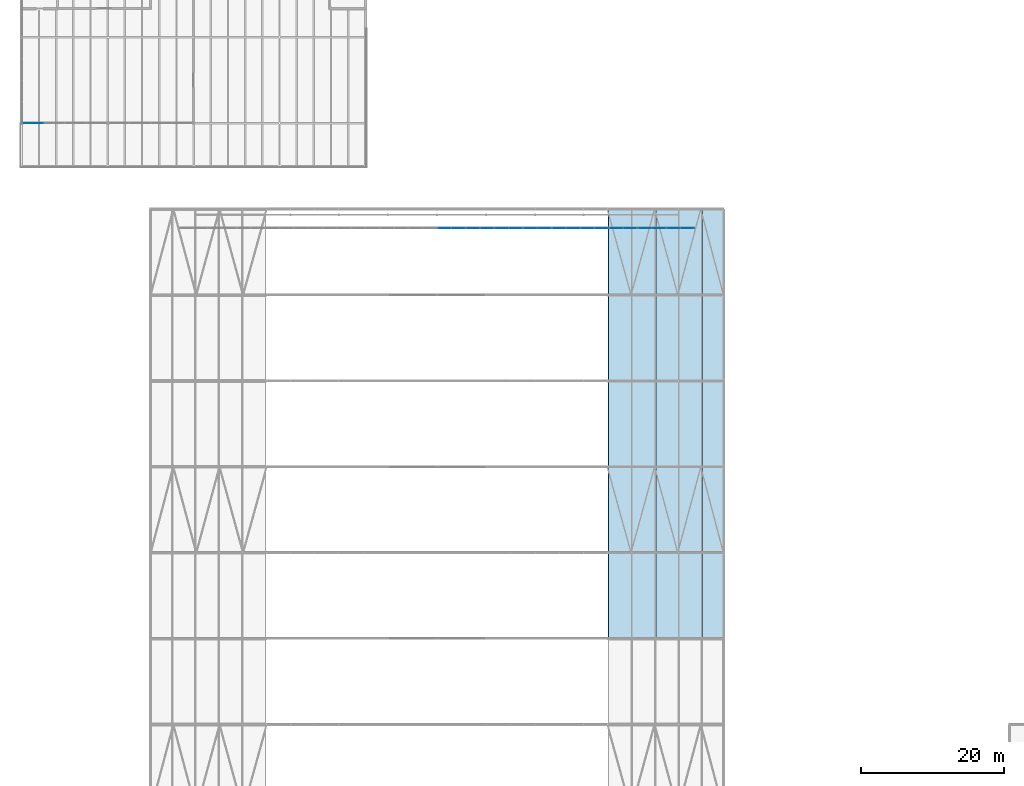
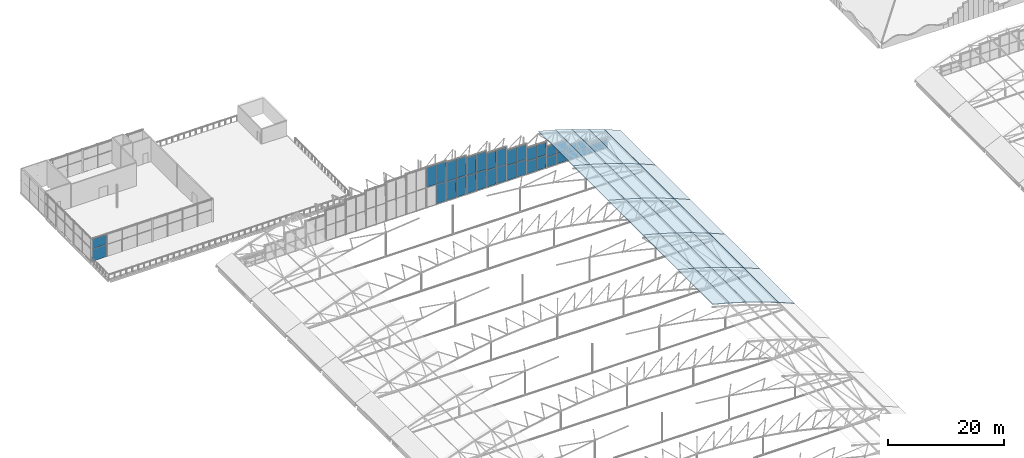
# One storey, part 252 of 321: 37 plates, 25 slabs, 10 elements without a shape of their own.
"""IFC4 building model written with IfcOpenShell, lengths in metres."""

from ifc_helpers import new_model, si_unit, direction, frame, origin, origin_2d, place, context, subcontext, project, spatial, polyline, rectangle, outline, extrude, material, layer, layer_set, type_object, element, aggregate, save


model = new_model("IFC4")

# Units and contexts
model_context = context("Model", 3, precision=1e-05, world=origin(), true_north=direction((0.0, 1.0)))
body_context = subcontext(model_context, "Body", "Model", "MODEL_VIEW")
ifc_project = project(units=[si_unit("LENGTHUNIT", "METRE"), si_unit("AREAUNIT", "SQUARE_METRE"), si_unit("VOLUMEUNIT", "CUBIC_METRE"), si_unit("PLANEANGLEUNIT", "RADIAN"), si_unit("MASSUNIT", "GRAM", prefix="KILO")], contexts=[model_context])

# Site, building, storey
site_placement = place(None, origin())
site = spatial("IfcSite", under=ifc_project, at=site_placement, CompositionType="ELEMENT")
building_placement = place(site_placement, origin())
building = spatial("IfcBuilding", under=site, at=building_placement, Name="Ravi Spectrum Wholesale Market", CompositionType="ELEMENT")
storey_placement = place(building_placement, frame((0.0, 0.0, 10.800048828125)))
storey = spatial("IfcBuildingStorey", under=building, at=storey_placement, Name="L02", CompositionType="ELEMENT", Elevation=10.800048828125)

# Curtain wall, plates
ifc_material_1 = material(Name="Aluminium 6063-T6", Category="aluminium")
ifc_layer_1 = layer(ifc_material_1, 0.14990234375)
ifc_layer_set_1 = layer_set([ifc_layer_1], Name="Aluminium 6063-T6")
curtain_wall_type = type_object("IfcCurtainWallType", Name="Curtain wall 150", PredefinedType="NOTDEFINED", material=ifc_layer_set_1)
curtain_wall_1_placement = place(storey_placement, origin())
curtain_wall_1 = element("IfcCurtainWall", 1, at=curtain_wall_1_placement, inside=storey, type_object=curtain_wall_type, Name="H1-CW-L02-010", PredefinedType="NOTDEFINED")
ifc_material_2 = material(Name="Toughened glass", Category="glass")
ifc_layer_2 = layer(ifc_material_2, 0.028076171875)
ifc_layer_set_2 = layer_set([ifc_layer_2], Name="Toughened glass")
plate_type_1 = type_object("IfcPlateType", Name="Glazing panel 28", PredefinedType="CURTAIN_PANEL", material=ifc_layer_set_2)
plate_1_placement = place(storey_placement, frame((71.034912109375, 195.340087890625, 4.22998046875), z_axis=(0.0, 0.0, 1.0), x_axis=(1.0, 0.0, 0.0)))
plate_1 = element("IfcPlate", 2, at=plate_1_placement, type_object=plate_type_1, Name="H1-CW-L02-010 panel 1.2", PredefinedType="CURTAIN_PANEL", context=body_context, shape_type="SweptSolid", body=[
    extrude(rectangle(XDim=1.8701171875, YDim=0.028076171875, at=origin_2d()), origin(), (0.0, 0.0, 1.0), 4.110107421875),
])
plate_2_placement = place(storey_placement, frame((72.965087890625, 195.340087890625, 0.06005859375), z_axis=(0.0, 0.0, 1.0), x_axis=(1.0, 0.0, 0.0)))
plate_2 = element("IfcPlate", 3, at=plate_2_placement, type_object=plate_type_1, Name="H1-CW-L02-010 panel 2.1", PredefinedType="CURTAIN_PANEL", context=body_context, shape_type="SweptSolid", body=[
    extrude(rectangle(XDim=1.8701171875, YDim=0.028076171875, at=origin_2d()), origin(), (0.0, 0.0, 1.0), 4.110107421875),
])

curtain_wall_2_placement = place(storey_placement, origin())
curtain_wall_2 = element("IfcCurtainWall", 4, at=curtain_wall_2_placement, inside=storey, type_object=curtain_wall_type, Name="H1-CW-L02-011", PredefinedType="NOTDEFINED")
plate_3_placement = place(storey_placement, frame((75.034912109375, 195.340087890625, 0.06005859375), z_axis=(0.0, 0.0, 1.0), x_axis=(1.0, 0.0, 0.0)))
plate_3 = element("IfcPlate", 5, at=plate_3_placement, type_object=plate_type_1, Name="H1-CW-L02-011 panel 1.1", PredefinedType="CURTAIN_PANEL", context=body_context, shape_type="SweptSolid", body=[
    extrude(rectangle(XDim=1.8701171875, YDim=0.028076171875, at=origin_2d()), origin(), (0.0, 0.0, 1.0), 3.9599609375),
])
plate_4_placement = place(storey_placement, frame((75.034912109375, 195.340087890625, 4.080078125), z_axis=(0.0, 0.0, 1.0), x_axis=(1.0, 0.0, 0.0)))
plate_4 = element("IfcPlate", 6, at=plate_4_placement, type_object=plate_type_1, Name="H1-CW-L02-011 panel 1.2", PredefinedType="CURTAIN_PANEL", context=body_context, shape_type="SweptSolid", body=[
    extrude(rectangle(XDim=1.8701171875, YDim=0.028076171875, at=origin_2d()), origin(), (0.0, 0.0, 1.0), 3.9599609375),
])
plate_5_placement = place(storey_placement, frame((76.965087890625, 195.340087890625, 0.06005859375), z_axis=(0.0, 0.0, 1.0), x_axis=(1.0, 0.0, 0.0)))
plate_5 = element("IfcPlate", 7, at=plate_5_placement, type_object=plate_type_1, Name="H1-CW-L02-011 panel 2.1", PredefinedType="CURTAIN_PANEL", context=body_context, shape_type="SweptSolid", body=[
    extrude(rectangle(XDim=1.8701171875, YDim=0.028076171875, at=origin_2d()), origin(), (0.0, 0.0, 1.0), 3.9599609375),
])
plate_6_placement = place(storey_placement, frame((76.965087890625, 195.340087890625, 4.080078125), z_axis=(0.0, 0.0, 1.0), x_axis=(1.0, 0.0, 0.0)))
plate_6 = element("IfcPlate", 8, at=plate_6_placement, type_object=plate_type_1, Name="H1-CW-L02-011 panel 2.2", PredefinedType="CURTAIN_PANEL", context=body_context, shape_type="SweptSolid", body=[
    extrude(rectangle(XDim=1.8701171875, YDim=0.028076171875, at=origin_2d()), origin(), (0.0, 0.0, 1.0), 3.9599609375),
])
aggregate(curtain_wall_2, [plate_3, plate_4, plate_5, plate_6])

curtain_wall_3_placement = place(storey_placement, origin())
curtain_wall_3 = element("IfcCurtainWall", 9, at=curtain_wall_3_placement, inside=storey, type_object=curtain_wall_type, Name="H1-CW-L02-012", PredefinedType="NOTDEFINED")
plate_7_placement = place(storey_placement, frame((79.034912109375, 195.340087890625, 0.06005859375), z_axis=(0.0, 0.0, 1.0), x_axis=(1.0, 0.0, 0.0)))
plate_7 = element("IfcPlate", 10, at=plate_7_placement, type_object=plate_type_1, Name="H1-CW-L02-012 panel 1.1", PredefinedType="CURTAIN_PANEL", context=body_context, shape_type="SweptSolid", body=[
    extrude(rectangle(XDim=1.8701171875, YDim=0.028076171875, at=origin_2d()), origin(), (0.0, 0.0, 1.0), 3.760009765625),
])
plate_8_placement = place(storey_placement, frame((79.034912109375, 195.340087890625, 3.8798828125), z_axis=(0.0, 0.0, 1.0), x_axis=(1.0, 0.0, 0.0)))
plate_8 = element("IfcPlate", 11, at=plate_8_placement, type_object=plate_type_1, Name="H1-CW-L02-012 panel 1.2", PredefinedType="CURTAIN_PANEL", context=body_context, shape_type="SweptSolid", body=[
    extrude(rectangle(XDim=1.8701171875, YDim=0.028076171875, at=origin_2d()), origin(), (0.0, 0.0, 1.0), 3.760009765625),
])
plate_9_placement = place(storey_placement, frame((80.965087890625, 195.340087890625, 0.06005859375), z_axis=(0.0, 0.0, 1.0), x_axis=(1.0, 0.0, 0.0)))
plate_9 = element("IfcPlate", 12, at=plate_9_placement, type_object=plate_type_1, Name="H1-CW-L02-012 panel 2.1", PredefinedType="CURTAIN_PANEL", context=body_context, shape_type="SweptSolid", body=[
    extrude(rectangle(XDim=1.8701171875, YDim=0.028076171875, at=origin_2d()), origin(), (0.0, 0.0, 1.0), 3.760009765625),
])
plate_10_placement = place(storey_placement, frame((80.965087890625, 195.340087890625, 3.8798828125), z_axis=(0.0, 0.0, 1.0), x_axis=(1.0, 0.0, 0.0)))
plate_10 = element("IfcPlate", 13, at=plate_10_placement, type_object=plate_type_1, Name="H1-CW-L02-012 panel 2.2", PredefinedType="CURTAIN_PANEL", context=body_context, shape_type="SweptSolid", body=[
    extrude(rectangle(XDim=1.8701171875, YDim=0.028076171875, at=origin_2d()), origin(), (0.0, 0.0, 1.0), 3.760009765625),
])
aggregate(curtain_wall_3, [plate_7, plate_8, plate_9, plate_10])

curtain_wall_4_placement = place(storey_placement, origin())
curtain_wall_4 = element("IfcCurtainWall", 14, at=curtain_wall_4_placement, inside=storey, type_object=curtain_wall_type, Name="H1-CW-L02-013", PredefinedType="NOTDEFINED")
plate_11_placement = place(storey_placement, frame((83.034912109375, 195.340087890625, 0.06005859375), z_axis=(0.0, 0.0, 1.0), x_axis=(1.0, 0.0, 0.0)))
plate_11 = element("IfcPlate", 15, at=plate_11_placement, type_object=plate_type_1, Name="H1-CW-L02-013 panel 1.1", PredefinedType="CURTAIN_PANEL", context=body_context, shape_type="SweptSolid", body=[
    extrude(rectangle(XDim=1.8701171875, YDim=0.028076171875, at=origin_2d()), origin(), (0.0, 0.0, 1.0), 3.510009765625),
])
plate_12_placement = place(storey_placement, frame((83.034912109375, 195.340087890625, 3.6298828125), z_axis=(0.0, 0.0, 1.0), x_axis=(1.0, 0.0, 0.0)))
plate_12 = element("IfcPlate", 16, at=plate_12_placement, type_object=plate_type_1, Name="H1-CW-L02-013 panel 1.2", PredefinedType="CURTAIN_PANEL", context=body_context, shape_type="SweptSolid", body=[
    extrude(rectangle(XDim=1.8701171875, YDim=0.028076171875, at=origin_2d()), origin(), (0.0, 0.0, 1.0), 3.510009765625),
])
plate_13_placement = place(storey_placement, frame((84.965087890625, 195.340087890625, 0.06005859375), z_axis=(0.0, 0.0, 1.0), x_axis=(1.0, 0.0, 0.0)))
plate_13 = element("IfcPlate", 17, at=plate_13_placement, type_object=plate_type_1, Name="H1-CW-L02-013 panel 2.1", PredefinedType="CURTAIN_PANEL", context=body_context, shape_type="SweptSolid", body=[
    extrude(rectangle(XDim=1.8701171875, YDim=0.028076171875, at=origin_2d()), origin(), (0.0, 0.0, 1.0), 3.510009765625),
])
plate_14_placement = place(storey_placement, frame((84.965087890625, 195.340087890625, 3.6298828125), z_axis=(0.0, 0.0, 1.0), x_axis=(1.0, 0.0, 0.0)))
plate_14 = element("IfcPlate", 18, at=plate_14_placement, type_object=plate_type_1, Name="H1-CW-L02-013 panel 2.2", PredefinedType="CURTAIN_PANEL", context=body_context, shape_type="SweptSolid", body=[
    extrude(rectangle(XDim=1.8701171875, YDim=0.028076171875, at=origin_2d()), origin(), (0.0, 0.0, 1.0), 3.510009765625),
])
aggregate(curtain_wall_4, [plate_11, plate_12, plate_13, plate_14])

curtain_wall_5_placement = place(storey_placement, origin())
curtain_wall_5 = element("IfcCurtainWall", 19, at=curtain_wall_5_placement, inside=storey, type_object=curtain_wall_type, Name="H1-CW-L02-014", PredefinedType="NOTDEFINED")
plate_15_placement = place(storey_placement, frame((87.034912109375, 195.340087890625, 0.06005859375), z_axis=(0.0, 0.0, 1.0), x_axis=(1.0, 0.0, 0.0)))
plate_15 = element("IfcPlate", 20, at=plate_15_placement, type_object=plate_type_1, Name="H1-CW-L02-014 panel 1.1", PredefinedType="CURTAIN_PANEL", context=body_context, shape_type="SweptSolid", body=[
    extrude(rectangle(XDim=1.8701171875, YDim=0.028076171875, at=origin_2d()), origin(), (0.0, 0.0, 1.0), 3.110107421875),
])
plate_16_placement = place(storey_placement, frame((87.034912109375, 195.340087890625, 3.22998046875), z_axis=(0.0, 0.0, 1.0), x_axis=(1.0, 0.0, 0.0)))
plate_16 = element("IfcPlate", 21, at=plate_16_placement, type_object=plate_type_1, Name="H1-CW-L02-014 panel 1.2", PredefinedType="CURTAIN_PANEL", context=body_context, shape_type="SweptSolid", body=[
    extrude(rectangle(XDim=1.8701171875, YDim=0.028076171875, at=origin_2d()), origin(), (0.0, 0.0, 1.0), 3.110107421875),
])
plate_17_placement = place(storey_placement, frame((88.965087890625, 195.340087890625, 0.06005859375), z_axis=(0.0, 0.0, 1.0), x_axis=(1.0, 0.0, 0.0)))
plate_17 = element("IfcPlate", 22, at=plate_17_placement, type_object=plate_type_1, Name="H1-CW-L02-014 panel 2.1", PredefinedType="CURTAIN_PANEL", context=body_context, shape_type="SweptSolid", body=[
    extrude(rectangle(XDim=1.8701171875, YDim=0.028076171875, at=origin_2d()), origin(), (0.0, 0.0, 1.0), 3.110107421875),
])
plate_18_placement = place(storey_placement, frame((88.965087890625, 195.340087890625, 3.22998046875), z_axis=(0.0, 0.0, 1.0), x_axis=(1.0, 0.0, 0.0)))
plate_18 = element("IfcPlate", 23, at=plate_18_placement, type_object=plate_type_1, Name="H1-CW-L02-014 panel 2.2", PredefinedType="CURTAIN_PANEL", context=body_context, shape_type="SweptSolid", body=[
    extrude(rectangle(XDim=1.8701171875, YDim=0.028076171875, at=origin_2d()), origin(), (0.0, 0.0, 1.0), 3.110107421875),
])
aggregate(curtain_wall_5, [plate_15, plate_16, plate_17, plate_18])

curtain_wall_6_placement = place(storey_placement, origin())
curtain_wall_6 = element("IfcCurtainWall", 24, at=curtain_wall_6_placement, inside=storey, type_object=curtain_wall_type, Name="H1-CW-L02-015", PredefinedType="NOTDEFINED")
plate_19_placement = place(storey_placement, frame((91.034912109375, 195.340087890625, 0.06005859375), z_axis=(0.0, 0.0, 1.0), x_axis=(1.0, 0.0, 0.0)))
plate_19 = element("IfcPlate", 25, at=plate_19_placement, type_object=plate_type_1, Name="H1-CW-L02-015 panel 1.1", PredefinedType="CURTAIN_PANEL", context=body_context, shape_type="SweptSolid", body=[
    extrude(rectangle(XDim=1.8701171875, YDim=0.028076171875, at=origin_2d()), origin(), (0.0, 0.0, 1.0), 2.659912109375),
])
plate_20_placement = place(storey_placement, frame((91.034912109375, 195.340087890625, 2.77978515625), z_axis=(0.0, 0.0, 1.0), x_axis=(1.0, 0.0, 0.0)))
plate_20 = element("IfcPlate", 26, at=plate_20_placement, type_object=plate_type_1, Name="H1-CW-L02-015 panel 1.2", PredefinedType="CURTAIN_PANEL", context=body_context, shape_type="SweptSolid", body=[
    extrude(rectangle(XDim=1.8701171875, YDim=0.028076171875, at=origin_2d()), origin(), (0.0, 0.0, 1.0), 2.659912109375),
])
plate_21_placement = place(storey_placement, frame((92.965087890625, 195.340087890625, 0.06005859375), z_axis=(0.0, 0.0, 1.0), x_axis=(1.0, 0.0, 0.0)))
plate_21 = element("IfcPlate", 27, at=plate_21_placement, type_object=plate_type_1, Name="H1-CW-L02-015 panel 2.1", PredefinedType="CURTAIN_PANEL", context=body_context, shape_type="SweptSolid", body=[
    extrude(rectangle(XDim=1.8701171875, YDim=0.028076171875, at=origin_2d()), origin(), (0.0, 0.0, 1.0), 2.659912109375),
])
plate_22_placement = place(storey_placement, frame((92.965087890625, 195.340087890625, 2.77978515625), z_axis=(0.0, 0.0, 1.0), x_axis=(1.0, 0.0, 0.0)))
plate_22 = element("IfcPlate", 28, at=plate_22_placement, type_object=plate_type_1, Name="H1-CW-L02-015 panel 2.2", PredefinedType="CURTAIN_PANEL", context=body_context, shape_type="SweptSolid", body=[
    extrude(rectangle(XDim=1.8701171875, YDim=0.028076171875, at=origin_2d()), origin(), (0.0, 0.0, 1.0), 2.659912109375),
])
aggregate(curtain_wall_6, [plate_19, plate_20, plate_21, plate_22])

curtain_wall_7_placement = place(storey_placement, origin())
curtain_wall_7 = element("IfcCurtainWall", 29, at=curtain_wall_7_placement, inside=storey, type_object=curtain_wall_type, Name="H1-CW-L02-016", PredefinedType="NOTDEFINED")
plate_23_placement = place(storey_placement, frame((95.034912109375, 195.340087890625, 0.06005859375), z_axis=(0.0, 0.0, 1.0), x_axis=(1.0, 0.0, 0.0)))
plate_23 = element("IfcPlate", 30, at=plate_23_placement, type_object=plate_type_1, Name="H1-CW-L02-016 panel 1.1", PredefinedType="CURTAIN_PANEL", context=body_context, shape_type="SweptSolid", body=[
    extrude(rectangle(XDim=1.8701171875, YDim=0.028076171875, at=origin_2d()), origin(), (0.0, 0.0, 1.0), 2.110107421875),
])
plate_24_placement = place(storey_placement, frame((95.034912109375, 195.340087890625, 2.22998046875), z_axis=(0.0, 0.0, 1.0), x_axis=(1.0, 0.0, 0.0)))
plate_24 = element("IfcPlate", 31, at=plate_24_placement, type_object=plate_type_1, Name="H1-CW-L02-016 panel 1.2", PredefinedType="CURTAIN_PANEL", context=body_context, shape_type="SweptSolid", body=[
    extrude(rectangle(XDim=1.8701171875, YDim=0.028076171875, at=origin_2d()), origin(), (0.0, 0.0, 1.0), 2.110107421875),
])
plate_25_placement = place(storey_placement, frame((96.965087890625, 195.340087890625, 0.06005859375), z_axis=(0.0, 0.0, 1.0), x_axis=(1.0, 0.0, 0.0)))
plate_25 = element("IfcPlate", 32, at=plate_25_placement, type_object=plate_type_1, Name="H1-CW-L02-016 panel 2.1", PredefinedType="CURTAIN_PANEL", context=body_context, shape_type="SweptSolid", body=[
    extrude(rectangle(XDim=1.8701171875, YDim=0.028076171875, at=origin_2d()), origin(), (0.0, 0.0, 1.0), 2.110107421875),
])
plate_26_placement = place(storey_placement, frame((96.965087890625, 195.340087890625, 2.22998046875), z_axis=(0.0, 0.0, 1.0), x_axis=(1.0, 0.0, 0.0)))
plate_26 = element("IfcPlate", 33, at=plate_26_placement, type_object=plate_type_1, Name="H1-CW-L02-016 panel 2.2", PredefinedType="CURTAIN_PANEL", context=body_context, shape_type="SweptSolid", body=[
    extrude(rectangle(XDim=1.8701171875, YDim=0.028076171875, at=origin_2d()), origin(), (0.0, 0.0, 1.0), 2.110107421875),
])
aggregate(curtain_wall_7, [plate_23, plate_24, plate_25, plate_26])

curtain_wall_8_placement = place(storey_placement, origin())
curtain_wall_8 = element("IfcCurtainWall", 34, at=curtain_wall_8_placement, inside=storey, type_object=curtain_wall_type, Name="H1-CW-L02-017", PredefinedType="NOTDEFINED")
plate_27_placement = place(storey_placement, frame((99.034912109375, 195.340087890625, 0.06005859375), z_axis=(0.0, 0.0, 1.0), x_axis=(1.0, 0.0, 0.0)))
plate_27 = element("IfcPlate", 35, at=plate_27_placement, type_object=plate_type_1, Name="H1-CW-L02-017 panel 1.1", PredefinedType="CURTAIN_PANEL", context=body_context, shape_type="SweptSolid", body=[
    extrude(rectangle(XDim=1.8701171875, YDim=0.028076171875, at=origin_2d()), origin(), (0.0, 0.0, 1.0), 1.510009765625),
])
plate_28_placement = place(storey_placement, frame((99.034912109375, 195.340087890625, 1.6298828125), z_axis=(0.0, 0.0, 1.0), x_axis=(1.0, 0.0, 0.0)))
plate_28 = element("IfcPlate", 36, at=plate_28_placement, type_object=plate_type_1, Name="H1-CW-L02-017 panel 1.2", PredefinedType="CURTAIN_PANEL", context=body_context, shape_type="SweptSolid", body=[
    extrude(rectangle(XDim=1.8701171875, YDim=0.028076171875, at=origin_2d()), origin(), (0.0, 0.0, 1.0), 1.510009765625),
])
plate_29_placement = place(storey_placement, frame((100.965087890625, 195.340087890625, 0.06005859375), z_axis=(0.0, 0.0, 1.0), x_axis=(1.0, 0.0, 0.0)))
plate_29 = element("IfcPlate", 37, at=plate_29_placement, type_object=plate_type_1, Name="H1-CW-L02-017 panel 2.1", PredefinedType="CURTAIN_PANEL", context=body_context, shape_type="SweptSolid", body=[
    extrude(rectangle(XDim=1.8701171875, YDim=0.028076171875, at=origin_2d()), origin(), (0.0, 0.0, 1.0), 1.510009765625),
])
plate_30_placement = place(storey_placement, frame((100.965087890625, 195.340087890625, 1.6298828125), z_axis=(0.0, 0.0, 1.0), x_axis=(1.0, 0.0, 0.0)))
plate_30 = element("IfcPlate", 38, at=plate_30_placement, type_object=plate_type_1, Name="H1-CW-L02-017 panel 2.2", PredefinedType="CURTAIN_PANEL", context=body_context, shape_type="SweptSolid", body=[
    extrude(rectangle(XDim=1.8701171875, YDim=0.028076171875, at=origin_2d()), origin(), (0.0, 0.0, 1.0), 1.510009765625),
])
aggregate(curtain_wall_8, [plate_27, plate_28, plate_29, plate_30])

curtain_wall_9_placement = place(storey_placement, origin())
curtain_wall_9 = element("IfcCurtainWall", 39, at=curtain_wall_9_placement, inside=storey, type_object=curtain_wall_type, Name="H1-CW-L02-018", PredefinedType="NOTDEFINED")
plate_31_placement = place(storey_placement, frame((103.034912109375, 195.340087890625, 0.06005859375), z_axis=(0.0, 0.0, 1.0), x_axis=(1.0, 0.0, 0.0)))
plate_31 = element("IfcPlate", 40, at=plate_31_placement, type_object=plate_type_1, Name="H1-CW-L02-018 panel 1.1", PredefinedType="CURTAIN_PANEL", context=body_context, shape_type="SweptSolid", body=[
    extrude(rectangle(XDim=1.8701171875, YDim=0.028076171875, at=origin_2d()), origin(), (0.0, 0.0, 1.0), 0.760009765625),
])
plate_32_placement = place(storey_placement, frame((103.034912109375, 195.340087890625, 0.8798828125), z_axis=(0.0, 0.0, 1.0), x_axis=(1.0, 0.0, 0.0)))
plate_32 = element("IfcPlate", 41, at=plate_32_placement, type_object=plate_type_1, Name="H1-CW-L02-018 panel 1.2", PredefinedType="CURTAIN_PANEL", context=body_context, shape_type="SweptSolid", body=[
    extrude(rectangle(XDim=1.8701171875, YDim=0.028076171875, at=origin_2d()), origin(), (0.0, 0.0, 1.0), 0.760009765625),
])
plate_33_placement = place(storey_placement, frame((104.965087890625, 195.340087890625, 0.06005859375), z_axis=(0.0, 0.0, 1.0), x_axis=(1.0, 0.0, 0.0)))
plate_33 = element("IfcPlate", 42, at=plate_33_placement, type_object=plate_type_1, Name="H1-CW-L02-018 panel 2.1", PredefinedType="CURTAIN_PANEL", context=body_context, shape_type="SweptSolid", body=[
    extrude(rectangle(XDim=1.8701171875, YDim=0.028076171875, at=origin_2d()), origin(), (0.0, 0.0, 1.0), 0.760009765625),
])
plate_34_placement = place(storey_placement, frame((104.965087890625, 195.340087890625, 0.8798828125), z_axis=(0.0, 0.0, 1.0), x_axis=(1.0, 0.0, 0.0)))
plate_34 = element("IfcPlate", 43, at=plate_34_placement, type_object=plate_type_1, Name="H1-CW-L02-018 panel 2.2", PredefinedType="CURTAIN_PANEL", context=body_context, shape_type="SweptSolid", body=[
    extrude(rectangle(XDim=1.8701171875, YDim=0.028076171875, at=origin_2d()), origin(), (0.0, 0.0, 1.0), 0.760009765625),
])
aggregate(curtain_wall_9, [plate_31, plate_32, plate_33, plate_34])

# Plate
ifc_material_3 = material(Name="Insulated panel")
ifc_layer_3 = layer(ifc_material_3, 0.028076171875)
ifc_layer_set_3 = layer_set([ifc_layer_3], Name="Insulated panel")
plate_type_2 = type_object("IfcPlateType", Name="Opaque insulated panel 28", PredefinedType="CURTAIN_PANEL", material=ifc_layer_set_3)
plate_35_placement = place(storey_placement, frame((72.965087890625, 195.340087890625, 4.22998046875), z_axis=(0.0, 0.0, 1.0), x_axis=(1.0, 0.0, 0.0)))
plate_35 = element("IfcPlate", 44, at=plate_35_placement, type_object=plate_type_2, Name="H1-CW-L02-010 panel 2.2", PredefinedType="CURTAIN_PANEL", context=body_context, shape_type="SweptSolid", body=[
    extrude(rectangle(XDim=1.8701171875, YDim=0.028076171875, at=origin_2d()), origin(), (0.0, 0.0, 1.0), 4.110107421875),
])

aggregate(curtain_wall_1, [plate_1, plate_2, plate_35])

# Curtain wall, plates
curtain_wall_10_placement = place(storey_placement, origin())
curtain_wall_10 = element("IfcCurtainWall", 45, at=curtain_wall_10_placement, inside=storey, type_object=curtain_wall_type, Name="OF-CW-L02-002", PredefinedType="NOTDEFINED")
plate_36_placement = place(storey_placement, frame((13.514892578125, 210.0, 0.06005859375), z_axis=(0.0, 0.0, 1.0), x_axis=(1.0, 0.0, 0.0)))
plate_36 = element("IfcPlate", 46, at=plate_36_placement, type_object=plate_type_2, Name="OF-CW-L02-002 panel 1.1", PredefinedType="CURTAIN_PANEL", context=body_context, shape_type="SweptSolid", body=[
    extrude(rectangle(XDim=2.909912109375, YDim=0.028076171875, at=origin_2d()), origin(), (0.0, 0.0, 1.0), 2.610107421875),
])
plate_37_placement = place(storey_placement, frame((13.514892578125, 210.0, 2.72998046875), z_axis=(0.0, 0.0, 1.0), x_axis=(1.0, 0.0, 0.0)))
plate_37 = element("IfcPlate", 47, at=plate_37_placement, type_object=plate_type_2, Name="OF-CW-L02-002 panel 1.2", PredefinedType="CURTAIN_PANEL", context=body_context, shape_type="SweptSolid", body=[
    extrude(rectangle(XDim=2.909912109375, YDim=0.028076171875, at=origin_2d()), origin(), (0.0, 0.0, 1.0), 2.030029296875),
])
aggregate(curtain_wall_10, [plate_36, plate_37])

# Slabs
ifc_material_4 = material(Name="Steel S355", Category="steel")
ifc_layer_4 = layer(ifc_material_4, 0.1201171875)
ifc_layer_set_4 = layer_set([ifc_layer_4], Name="Steel S355")
slab_type = type_object("IfcSlabType", Name="Roof panel 120", PredefinedType="ROOF", material=ifc_layer_set_4)
slab_1_placement = place(storey_placement, frame((93.924560546875, 138.0, 6.090087890625), z_axis=(0.255929552766, 0.0, 0.966695434985), x_axis=(0.966695434985, 0.0, -0.255929552766)))
element("IfcSlab", 48, at=slab_1_placement, inside=storey, type_object=slab_type, Name="H1-SL-L02-096", PredefinedType="ROOF", context=body_context, shape_type="SweptSolid", body=[
    extrude(outline(polyline([(0.0, 0.0), (3.4465737488732815, 0.0), (3.4465737488732815, 12.0), (0.0, 12.0), (0.0, 0.0)])), origin(), (0.0, 0.0, -1.0), 0.1201171875),
])
slab_2_placement = place(storey_placement, frame((97.260498046875, 138.0, 5.20703125), z_axis=(0.289069508048, 0.0, 0.957308111068), x_axis=(0.957308111068, 0.0, -0.289069508048)))
element("IfcSlab", 49, at=slab_2_placement, inside=storey, type_object=slab_type, Name="H1-SL-L02-097", PredefinedType="ROOF", context=body_context, shape_type="SweptSolid", body=[
    extrude(outline(polyline([(0.0, 0.0), (3.4467069783764797, 0.0), (3.4467069783764797, 12.0), (0.0, 12.0), (0.0, 0.0)])), origin(), (0.0, 0.0, -1.0), 0.1201171875),
])
slab_3_placement = place(storey_placement, frame((100.56396484375, 138.0, 4.20947265625), z_axis=(0.321938289451, 0.0, 0.946760654963), x_axis=(0.946760654963, 0.0, -0.321938289451)))
element("IfcSlab", 50, at=slab_3_placement, inside=storey, type_object=slab_type, Name="H1-SL-L02-098", PredefinedType="ROOF", context=body_context, shape_type="SweptSolid", body=[
    extrude(outline(polyline([(0.0, 0.0), (3.4466827245571254, 0.0), (3.4466827245571254, 12.0), (0.0, 12.0), (0.0, 0.0)])), origin(), (0.0, 0.0, -1.0), 0.1201171875),
])
slab_4_placement = place(storey_placement, frame((103.8310546875, 138.0, 3.0986328125), z_axis=(0.354389433988, 0.0, 0.93509792486), x_axis=(0.93509792486, 0.0, -0.354389433988)))
element("IfcSlab", 51, at=slab_4_placement, inside=storey, type_object=slab_type, Name="H1-SL-L02-099", PredefinedType="ROOF", context=body_context, shape_type="SweptSolid", body=[
    extrude(outline(polyline([(0.0, 0.0), (3.4465913194140976, 0.0), (3.4465913194140976, 12.0), (0.0, 12.0), (0.0, 0.0)])), origin(), (0.0, 0.0, -1.0), 0.1201171875),
])
slab_5_placement = place(storey_placement, frame((107.057861328125, 138.0, 1.875732421875), z_axis=(0.386400188162, 0.0, 0.922331228241), x_axis=(0.922331228241, 0.0, -0.386400188162)))
element("IfcSlab", 52, at=slab_5_placement, inside=storey, type_object=slab_type, Name="H1-SL-L02-100", PredefinedType="ROOF", context=body_context, shape_type="SweptSolid", body=[
    extrude(outline(polyline([(0.0, 0.0), (3.44665233138391, 0.0), (3.44665233138391, 12.0), (0.0, 12.0), (0.0, 0.0)])), origin(), (0.0, 0.0, -1.0), 0.1201171875),
])
slab_6_placement = place(storey_placement, frame((93.924560546875, 150.0, 6.090087890625), z_axis=(0.255929552766, 0.0, 0.966695434985), x_axis=(0.966695434985, 0.0, -0.255929552766)))
element("IfcSlab", 53, at=slab_6_placement, inside=storey, type_object=slab_type, Name="H1-SL-L02-106", PredefinedType="ROOF", context=body_context, shape_type="SweptSolid", body=[
    extrude(outline(polyline([(0.0, 0.0), (3.4465737488732815, 0.0), (3.4465737488732815, 12.0), (0.0, 12.0), (0.0, 0.0)])), origin(), (0.0, 0.0, -1.0), 0.1201171875),
])
slab_7_placement = place(storey_placement, frame((97.260498046875, 150.0, 5.20703125), z_axis=(0.289069508048, 0.0, 0.957308111068), x_axis=(0.957308111068, 0.0, -0.289069508048)))
element("IfcSlab", 54, at=slab_7_placement, inside=storey, type_object=slab_type, Name="H1-SL-L02-107", PredefinedType="ROOF", context=body_context, shape_type="SweptSolid", body=[
    extrude(outline(polyline([(0.0, 0.0), (3.4467069783764797, 0.0), (3.4467069783764797, 12.0), (0.0, 12.0), (0.0, 0.0)])), origin(), (0.0, 0.0, -1.0), 0.1201171875),
])
slab_8_placement = place(storey_placement, frame((100.56396484375, 150.0, 4.20947265625), z_axis=(0.321938289451, 0.0, 0.946760654963), x_axis=(0.946760654963, 0.0, -0.321938289451)))
element("IfcSlab", 55, at=slab_8_placement, inside=storey, type_object=slab_type, Name="H1-SL-L02-108", PredefinedType="ROOF", context=body_context, shape_type="SweptSolid", body=[
    extrude(outline(polyline([(0.0, 0.0), (3.4466827245571254, 0.0), (3.4466827245571254, 12.0), (0.0, 12.0), (0.0, 0.0)])), origin(), (0.0, 0.0, -1.0), 0.1201171875),
])
slab_9_placement = place(storey_placement, frame((103.8310546875, 150.0, 3.0986328125), z_axis=(0.354389433988, 0.0, 0.93509792486), x_axis=(0.93509792486, 0.0, -0.354389433988)))
element("IfcSlab", 56, at=slab_9_placement, inside=storey, type_object=slab_type, Name="H1-SL-L02-109", PredefinedType="ROOF", context=body_context, shape_type="SweptSolid", body=[
    extrude(outline(polyline([(0.0, 0.0), (3.4465913194140976, 0.0), (3.4465913194140976, 12.0), (0.0, 12.0), (0.0, 0.0)])), origin(), (0.0, 0.0, -1.0), 0.1201171875),
])
slab_10_placement = place(storey_placement, frame((107.057861328125, 150.0, 1.875732421875), z_axis=(0.386400188162, 0.0, 0.922331228241), x_axis=(0.922331228241, 0.0, -0.386400188162)))
element("IfcSlab", 57, at=slab_10_placement, inside=storey, type_object=slab_type, Name="H1-SL-L02-110", PredefinedType="ROOF", context=body_context, shape_type="SweptSolid", body=[
    extrude(outline(polyline([(0.0, 0.0), (3.44665233138391, 0.0), (3.44665233138391, 12.0), (0.0, 12.0), (0.0, 0.0)])), origin(), (0.0, 0.0, -1.0), 0.1201171875),
])
slab_11_placement = place(storey_placement, frame((93.924560546875, 162.0, 6.090087890625), z_axis=(0.255929552766, 0.0, 0.966695434985), x_axis=(0.966695434985, 0.0, -0.255929552766)))
element("IfcSlab", 58, at=slab_11_placement, inside=storey, type_object=slab_type, Name="H1-SL-L02-116", PredefinedType="ROOF", context=body_context, shape_type="SweptSolid", body=[
    extrude(outline(polyline([(0.0, 0.0), (3.4465737488732815, 0.0), (3.4465737488732815, 12.0), (0.0, 12.0), (0.0, 0.0)])), origin(), (0.0, 0.0, -1.0), 0.1201171875),
])
slab_12_placement = place(storey_placement, frame((97.260498046875, 162.0, 5.20703125), z_axis=(0.289069508048, 0.0, 0.957308111068), x_axis=(0.957308111068, 0.0, -0.289069508048)))
element("IfcSlab", 59, at=slab_12_placement, inside=storey, type_object=slab_type, Name="H1-SL-L02-117", PredefinedType="ROOF", context=body_context, shape_type="SweptSolid", body=[
    extrude(outline(polyline([(0.0, 0.0), (3.4467069783764797, 0.0), (3.4467069783764797, 12.0), (0.0, 12.0), (0.0, 0.0)])), origin(), (0.0, 0.0, -1.0), 0.1201171875),
])
slab_13_placement = place(storey_placement, frame((100.56396484375, 162.0, 4.20947265625), z_axis=(0.321938289451, 0.0, 0.946760654963), x_axis=(0.946760654963, 0.0, -0.321938289451)))
element("IfcSlab", 60, at=slab_13_placement, inside=storey, type_object=slab_type, Name="H1-SL-L02-118", PredefinedType="ROOF", context=body_context, shape_type="SweptSolid", body=[
    extrude(outline(polyline([(0.0, 0.0), (3.4466827245571254, 0.0), (3.4466827245571254, 12.0), (0.0, 12.0), (0.0, 0.0)])), origin(), (0.0, 0.0, -1.0), 0.1201171875),
])
slab_14_placement = place(storey_placement, frame((103.8310546875, 162.0, 3.0986328125), z_axis=(0.354389433988, 0.0, 0.93509792486), x_axis=(0.93509792486, 0.0, -0.354389433988)))
element("IfcSlab", 61, at=slab_14_placement, inside=storey, type_object=slab_type, Name="H1-SL-L02-119", PredefinedType="ROOF", context=body_context, shape_type="SweptSolid", body=[
    extrude(outline(polyline([(0.0, 0.0), (3.4465913194140976, 0.0), (3.4465913194140976, 12.0), (0.0, 12.0), (0.0, 0.0)])), origin(), (0.0, 0.0, -1.0), 0.1201171875),
])
slab_15_placement = place(storey_placement, frame((107.057861328125, 162.0, 1.875732421875), z_axis=(0.386400188162, 0.0, 0.922331228241), x_axis=(0.922331228241, 0.0, -0.386400188162)))
element("IfcSlab", 62, at=slab_15_placement, inside=storey, type_object=slab_type, Name="H1-SL-L02-120", PredefinedType="ROOF", context=body_context, shape_type="SweptSolid", body=[
    extrude(outline(polyline([(0.0, 0.0), (3.44665233138391, 0.0), (3.44665233138391, 12.0), (0.0, 12.0), (0.0, 0.0)])), origin(), (0.0, 0.0, -1.0), 0.1201171875),
])
slab_16_placement = place(storey_placement, frame((93.924560546875, 174.0, 6.090087890625), z_axis=(0.255929552766, 0.0, 0.966695434985), x_axis=(0.966695434985, 0.0, -0.255929552766)))
element("IfcSlab", 63, at=slab_16_placement, inside=storey, type_object=slab_type, Name="H1-SL-L02-126", PredefinedType="ROOF", context=body_context, shape_type="SweptSolid", body=[
    extrude(outline(polyline([(0.0, 0.0), (3.4465737488732815, 0.0), (3.4465737488732815, 12.0), (0.0, 12.0), (0.0, 0.0)])), origin(), (0.0, 0.0, -1.0), 0.1201171875),
])
slab_17_placement = place(storey_placement, frame((97.260498046875, 174.0, 5.20703125), z_axis=(0.289069508048, 0.0, 0.957308111068), x_axis=(0.957308111068, 0.0, -0.289069508048)))
element("IfcSlab", 64, at=slab_17_placement, inside=storey, type_object=slab_type, Name="H1-SL-L02-127", PredefinedType="ROOF", context=body_context, shape_type="SweptSolid", body=[
    extrude(outline(polyline([(0.0, 0.0), (3.4467069783764797, 0.0), (3.4467069783764797, 12.0), (0.0, 12.0), (0.0, 0.0)])), origin(), (0.0, 0.0, -1.0), 0.1201171875),
])
slab_18_placement = place(storey_placement, frame((100.56396484375, 174.0, 4.20947265625), z_axis=(0.321938289451, 0.0, 0.946760654963), x_axis=(0.946760654963, 0.0, -0.321938289451)))
element("IfcSlab", 65, at=slab_18_placement, inside=storey, type_object=slab_type, Name="H1-SL-L02-128", PredefinedType="ROOF", context=body_context, shape_type="SweptSolid", body=[
    extrude(outline(polyline([(0.0, 0.0), (3.4466827245571254, 0.0), (3.4466827245571254, 12.0), (0.0, 12.0), (0.0, 0.0)])), origin(), (0.0, 0.0, -1.0), 0.1201171875),
])
slab_19_placement = place(storey_placement, frame((103.8310546875, 174.0, 3.0986328125), z_axis=(0.354389433988, 0.0, 0.93509792486), x_axis=(0.93509792486, 0.0, -0.354389433988)))
element("IfcSlab", 66, at=slab_19_placement, inside=storey, type_object=slab_type, Name="H1-SL-L02-129", PredefinedType="ROOF", context=body_context, shape_type="SweptSolid", body=[
    extrude(outline(polyline([(0.0, 0.0), (3.4465913194140976, 0.0), (3.4465913194140976, 12.0), (0.0, 12.0), (0.0, 0.0)])), origin(), (0.0, 0.0, -1.0), 0.1201171875),
])
slab_20_placement = place(storey_placement, frame((107.057861328125, 174.0, 1.875732421875), z_axis=(0.386400188162, 0.0, 0.922331228241), x_axis=(0.922331228241, 0.0, -0.386400188162)))
element("IfcSlab", 67, at=slab_20_placement, inside=storey, type_object=slab_type, Name="H1-SL-L02-130", PredefinedType="ROOF", context=body_context, shape_type="SweptSolid", body=[
    extrude(outline(polyline([(0.0, 0.0), (3.44665233138391, 0.0), (3.44665233138391, 12.0), (0.0, 12.0), (0.0, 0.0)])), origin(), (0.0, 0.0, -1.0), 0.1201171875),
])
slab_21_placement = place(storey_placement, frame((93.924560546875, 186.0, 6.090087890625), z_axis=(0.255929552766, 0.0, 0.966695434985), x_axis=(0.966695434985, 0.0, -0.255929552766)))
element("IfcSlab", 68, at=slab_21_placement, inside=storey, type_object=slab_type, Name="H1-SL-L02-136", PredefinedType="ROOF", context=body_context, shape_type="SweptSolid", body=[
    extrude(outline(polyline([(0.0, 0.0), (3.4465737488732815, 0.0), (3.4465737488732815, 12.0), (0.0, 12.0), (0.0, 0.0)])), origin(), (0.0, 0.0, -1.0), 0.1201171875),
])
slab_22_placement = place(storey_placement, frame((97.260498046875, 186.0, 5.20703125), z_axis=(0.289069508048, 0.0, 0.957308111068), x_axis=(0.957308111068, 0.0, -0.289069508048)))
element("IfcSlab", 69, at=slab_22_placement, inside=storey, type_object=slab_type, Name="H1-SL-L02-137", PredefinedType="ROOF", context=body_context, shape_type="SweptSolid", body=[
    extrude(outline(polyline([(0.0, 0.0), (3.4467069783764797, 0.0), (3.4467069783764797, 12.0), (0.0, 12.0), (0.0, 0.0)])), origin(), (0.0, 0.0, -1.0), 0.1201171875),
])
slab_23_placement = place(storey_placement, frame((100.56396484375, 186.0, 4.20947265625), z_axis=(0.321938289451, 0.0, 0.946760654963), x_axis=(0.946760654963, 0.0, -0.321938289451)))
element("IfcSlab", 70, at=slab_23_placement, inside=storey, type_object=slab_type, Name="H1-SL-L02-138", PredefinedType="ROOF", context=body_context, shape_type="SweptSolid", body=[
    extrude(outline(polyline([(0.0, 0.0), (3.4466827245571254, 0.0), (3.4466827245571254, 12.0), (0.0, 12.0), (0.0, 0.0)])), origin(), (0.0, 0.0, -1.0), 0.1201171875),
])
slab_24_placement = place(storey_placement, frame((103.8310546875, 186.0, 3.0986328125), z_axis=(0.354389433988, 0.0, 0.93509792486), x_axis=(0.93509792486, 0.0, -0.354389433988)))
element("IfcSlab", 71, at=slab_24_placement, inside=storey, type_object=slab_type, Name="H1-SL-L02-139", PredefinedType="ROOF", context=body_context, shape_type="SweptSolid", body=[
    extrude(outline(polyline([(0.0, 0.0), (3.4465913194140976, 0.0), (3.4465913194140976, 12.0), (0.0, 12.0), (0.0, 0.0)])), origin(), (0.0, 0.0, -1.0), 0.1201171875),
])
slab_25_placement = place(storey_placement, frame((107.057861328125, 186.0, 1.875732421875), z_axis=(0.386400188162, 0.0, 0.922331228241), x_axis=(0.922331228241, 0.0, -0.386400188162)))
element("IfcSlab", 72, at=slab_25_placement, inside=storey, type_object=slab_type, Name="H1-SL-L02-140", PredefinedType="ROOF", context=body_context, shape_type="SweptSolid", body=[
    extrude(outline(polyline([(0.0, 0.0), (3.44665233138391, 0.0), (3.44665233138391, 12.0), (0.0, 12.0), (0.0, 0.0)])), origin(), (0.0, 0.0, -1.0), 0.1201171875),
])

save(model, "model.ifc")
